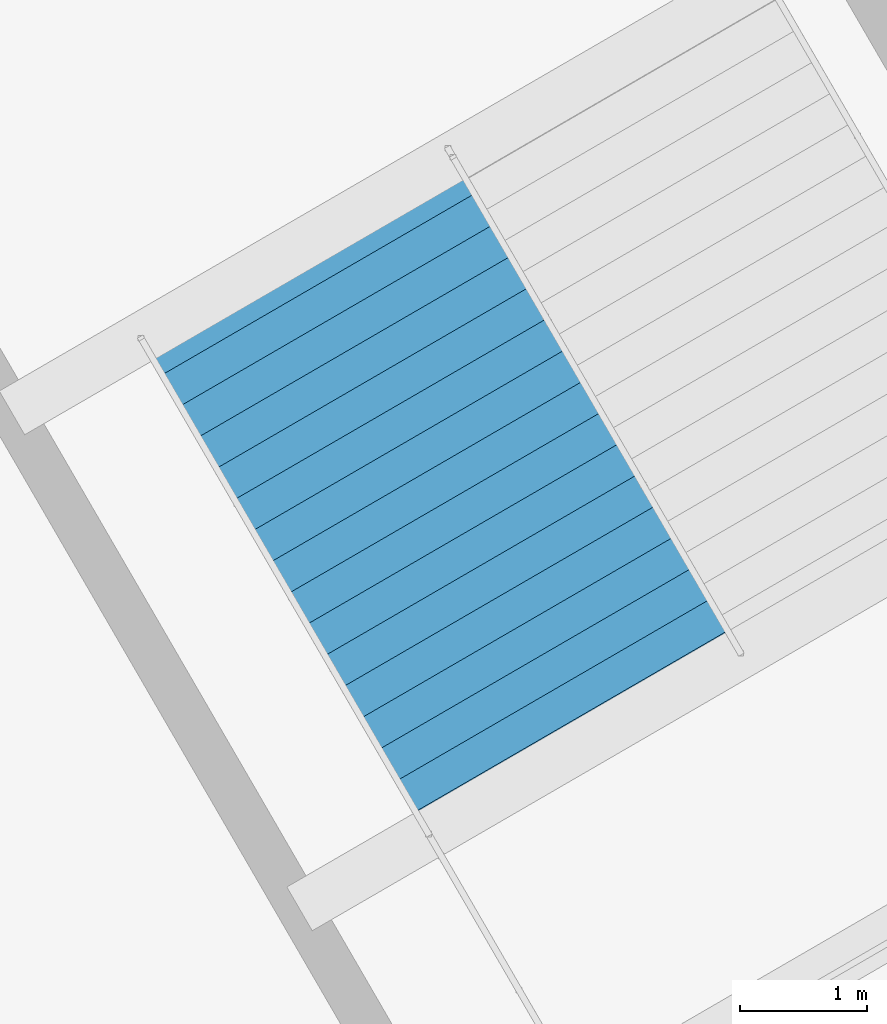
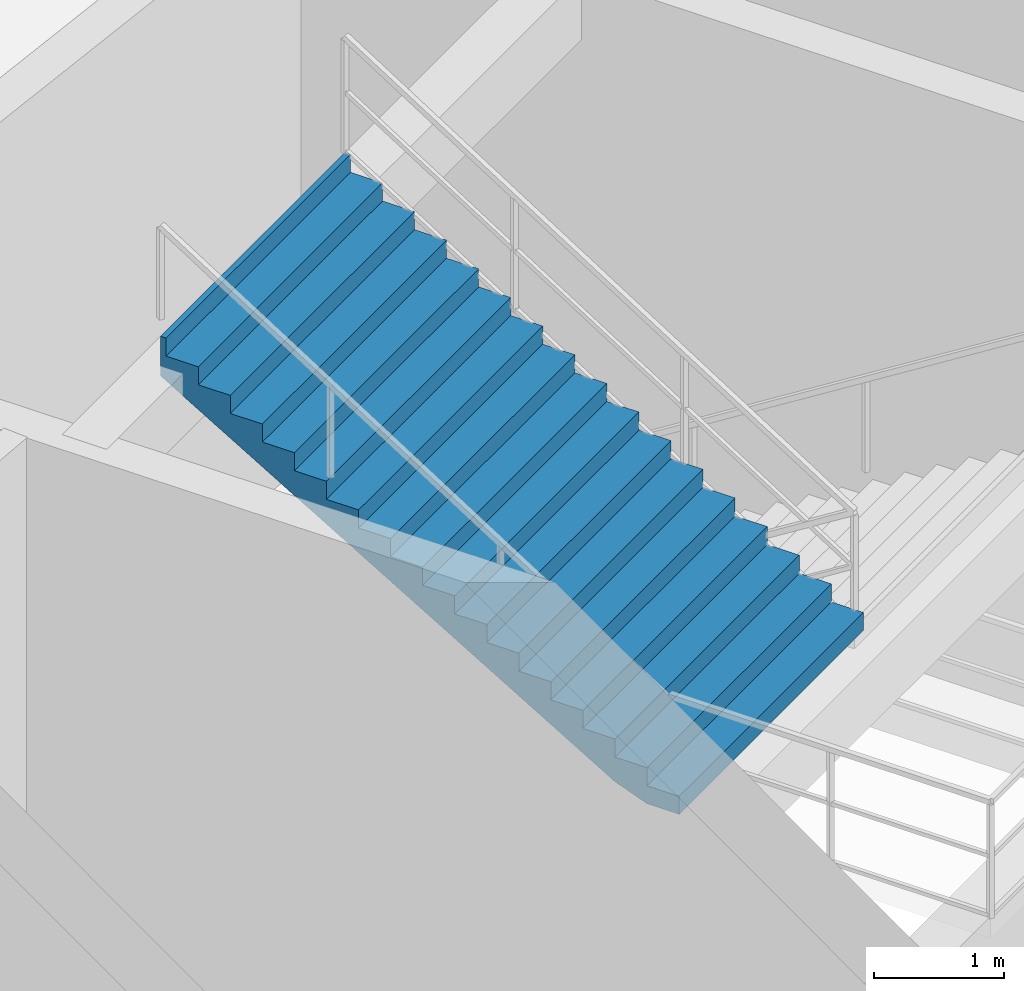
# One storey, part 21 of 48: 1 stair flight, 1 element without a shape of its own.
"""IFC4 building model written with IfcOpenShell, lengths in metres."""

from ifc_helpers import new_model, si_unit, direction, frame, origin, place, context, subcontext, project, spatial, polygons, material, type_object, element, aggregate, save


model = new_model("IFC4")

# Units and contexts
model_context = context("Model", 3, precision=1e-05, world=origin(), true_north=direction((0.0, 1.0)))
body_context = subcontext(model_context, "Body", "Model", "MODEL_VIEW")
ifc_project = project(units=[si_unit("LENGTHUNIT", "METRE"), si_unit("AREAUNIT", "SQUARE_METRE"), si_unit("VOLUMEUNIT", "CUBIC_METRE"), si_unit("PLANEANGLEUNIT", "RADIAN"), si_unit("MASSUNIT", "GRAM", prefix="KILO")], contexts=[model_context])

# Site, building, storey
site_placement = place(None, origin())
site = spatial("IfcSite", under=ifc_project, at=site_placement, CompositionType="ELEMENT")
building_placement = place(site_placement, origin())
building = spatial("IfcBuilding", under=site, at=building_placement, Name="Kazemori Nagisa Stadium", CompositionType="ELEMENT")
storey_placement = place(building_placement, origin())
storey = spatial("IfcBuildingStorey", under=building, at=storey_placement, Name="L00", CompositionType="ELEMENT", Elevation=0.0)

# Stair, stair flight
ifc_material = material(Name="Concrete C36/45 (Fc36)", Category="concrete")
stair_type = type_object("IfcStairType", Name="Stair_CORE_34", PredefinedType="TWO_STRAIGHT_RUN_STAIR", material=ifc_material)
stair_placement = place(storey_placement, origin())
stair = element("IfcStair", 1, at=stair_placement, inside=storey, type_object=stair_type, Name="Exit stair ST09 L00", PredefinedType="TWO_STRAIGHT_RUN_STAIR")
stair_flight_type = type_object("IfcStairFlightType", Name="Flight_CORE_17", PredefinedType="STRAIGHT", material=ifc_material)
stair_flight_placement = place(storey_placement, frame((43.47265625, 58.0634765625, 2.889892578125), z_axis=(0.0, 0.0, 1.0), x_axis=(-0.501612320914, 0.865092526559, 0.0)))
stair_flight = element("IfcStairFlight", 2, at=stair_flight_placement, type_object=stair_flight_type, Name="Exit stair ST09 L00 flight 2", NumberOfRisers=17, NumberOfTreads=16, PredefinedType="STRAIGHT", RiserHeight=0.17, TreadLength=0.285, context=body_context, shape_type="Tessellation", body=[
    polygons([(0.0, -1.425048828125, 0.0), (0.0, -1.425048828125, 0.169921875), (0.284912109375, -1.425048828125, 0.169921875), (0.284912109375, -1.425048828125, 0.340087890625), (0.570068359375, -1.425048828125, 0.340087890625), (0.570068359375, -1.425048828125, 0.510009765625), (0.85498046875, -1.425048828125, 0.510009765625), (0.85498046875, -1.425048828125, 0.679931640625), (1.139892578125, -1.425048828125, 0.679931640625), (1.139892578125, -1.425048828125, 0.85009765625), (1.425048828125, -1.425048828125, 0.85009765625), (1.425048828125, -1.425048828125, 1.02001953125), (1.7099609375, -1.425048828125, 1.02001953125), (1.7099609375, -1.425048828125, 1.18994140625), (1.9951171875, -1.425048828125, 1.18994140625), (1.9951171875, -1.425048828125, 1.360107421875), (2.280029296875, -1.425048828125, 1.360107421875), (2.280029296875, -1.425048828125, 1.530029296875), (2.56494140625, -1.425048828125, 1.530029296875), (2.56494140625, -1.425048828125, 1.699951171875), (2.85009765625, -1.425048828125, 1.699951171875), (2.85009765625, -1.425048828125, 1.8701171875), (3.135009765625, -1.425048828125, 1.8701171875), (3.135009765625, -1.425048828125, 2.0400390625), (3.419921875, -1.425048828125, 2.0400390625), (3.419921875, -1.425048828125, 2.2099609375), (3.705078125, -1.425048828125, 2.2099609375), (3.705078125, -1.425048828125, 2.3798828125), (3.989990234375, -1.425048828125, 2.3798828125), (3.989990234375, -1.425048828125, 2.550048828125), (4.27490234375, -1.425048828125, 2.550048828125), (4.27490234375, -1.425048828125, 2.719970703125), (4.56005859375, -1.425048828125, 2.719970703125), (4.56005859375, -1.425048828125, 2.889892578125), (4.610107421875, -1.425048828125, 2.889892578125), (4.610107421875, -1.425048828125, 2.51708984375), (4.56005859375, -1.425048828125, 2.487060546875), (4.27490234375, -1.425048828125, 2.317138671875), (3.989990234375, -1.425048828125, 2.147216796875), (3.705078125, -1.425048828125, 1.977294921875), (3.419921875, -1.425048828125, 1.80712890625), (3.135009765625, -1.425048828125, 1.63720703125), (2.85009765625, -1.425048828125, 1.46728515625), (2.56494140625, -1.425048828125, 1.297119140625), (2.280029296875, -1.425048828125, 1.127197265625), (1.9951171875, -1.425048828125, 0.957275390625), (1.7099609375, -1.425048828125, 0.787109375), (1.425048828125, -1.425048828125, 0.6171875), (1.139892578125, -1.425048828125, 0.447265625), (0.85498046875, -1.425048828125, 0.277099609375), (0.570068359375, -1.425048828125, 0.107177734375), (0.284912109375, -1.425048828125, 0.0), (0.0, -0.08544921875, 0.0), (0.0, -0.08544921875, 0.169921875), (0.284912109375, -0.08544921875, 0.169921875), (0.284912109375, -0.08544921875, 0.340087890625), (0.570068359375, -0.08544921875, 0.340087890625), (0.570068359375, -0.08544921875, 0.510009765625), (0.85498046875, -0.08544921875, 0.510009765625), (0.85498046875, -0.08544921875, 0.679931640625), (1.139892578125, -0.08544921875, 0.679931640625), (1.139892578125, -0.08544921875, 0.85009765625), (1.425048828125, -0.08544921875, 0.85009765625), (1.425048828125, -0.08544921875, 1.02001953125), (1.7099609375, -0.08544921875, 1.02001953125), (1.7099609375, -0.08544921875, 1.18994140625), (1.9951171875, -0.08544921875, 1.18994140625), (1.9951171875, -0.08544921875, 1.360107421875), (2.280029296875, -0.08544921875, 1.360107421875), (2.280029296875, -0.08544921875, 1.530029296875), (2.56494140625, -0.08544921875, 1.530029296875), (2.56494140625, -0.08544921875, 1.699951171875), (2.85009765625, -0.08544921875, 1.699951171875), (2.85009765625, -0.08544921875, 1.8701171875), (3.135009765625, -0.08544921875, 1.8701171875), (3.135009765625, -0.08544921875, 2.0400390625), (3.419921875, -0.08544921875, 2.0400390625), (3.419921875, -0.08544921875, 2.2099609375), (3.705078125, -0.08544921875, 2.2099609375), (3.705078125, -0.08544921875, 2.3798828125), (3.989990234375, -0.08544921875, 2.3798828125), (3.989990234375, -0.08544921875, 2.550048828125), (4.27490234375, -0.08544921875, 2.550048828125), (4.27490234375, -0.08544921875, 2.719970703125), (4.56005859375, -0.08544921875, 2.719970703125), (4.56005859375, -0.08544921875, 2.889892578125), (4.610107421875, -0.08544921875, 2.889892578125), (4.610107421875, -0.08544921875, 2.51708984375), (4.56005859375, -0.08544921875, 2.487060546875), (4.27490234375, -0.08544921875, 2.317138671875), (3.989990234375, -0.08544921875, 2.147216796875), (3.705078125, -0.08544921875, 1.977294921875), (3.419921875, -0.08544921875, 1.80712890625), (3.135009765625, -0.08544921875, 1.63720703125), (2.85009765625, -0.08544921875, 1.46728515625), (2.56494140625, -0.08544921875, 1.297119140625), (2.280029296875, -0.08544921875, 1.127197265625), (1.9951171875, -0.08544921875, 0.957275390625), (1.7099609375, -0.08544921875, 0.787109375), (1.425048828125, -0.08544921875, 0.6171875), (1.139892578125, -0.08544921875, 0.447265625), (0.85498046875, -0.08544921875, 0.277099609375), (0.570068359375, -0.08544921875, 0.107177734375), (0.284912109375, -0.08544921875, 0.0), (0.0, 0.0, 0.0), (0.0, 0.0, 0.169921875), (0.284912109375, 0.0, 0.169921875), (0.284912109375, 0.0, 0.340087890625), (0.570068359375, 0.0, 0.340087890625), (0.570068359375, 0.0, 0.510009765625), (0.85498046875, 0.0, 0.510009765625), (0.85498046875, 0.0, 0.679931640625), (1.139892578125, 0.0, 0.679931640625), (1.139892578125, 0.0, 0.85009765625), (1.425048828125, 0.0, 0.85009765625), (1.425048828125, 0.0, 1.02001953125), (1.7099609375, 0.0, 1.02001953125), (1.7099609375, 0.0, 1.18994140625), (1.9951171875, 0.0, 1.18994140625), (1.9951171875, 0.0, 1.360107421875), (2.280029296875, 0.0, 1.360107421875), (2.280029296875, 0.0, 1.530029296875), (2.56494140625, 0.0, 1.530029296875), (2.56494140625, 0.0, 1.699951171875), (2.85009765625, 0.0, 1.699951171875), (2.85009765625, 0.0, 1.8701171875), (3.135009765625, 0.0, 1.8701171875), (3.135009765625, 0.0, 2.0400390625), (3.419921875, 0.0, 2.0400390625), (3.419921875, 0.0, 2.2099609375), (3.705078125, 0.0, 2.2099609375), (3.705078125, 0.0, 2.3798828125), (3.989990234375, 0.0, 2.3798828125), (3.989990234375, 0.0, 2.550048828125), (4.27490234375, 0.0, 2.550048828125), (4.27490234375, 0.0, 2.719970703125), (4.56005859375, 0.0, 2.719970703125), (4.56005859375, 0.0, 2.889892578125), (4.610107421875, 0.0, 2.889892578125), (4.610107421875, 0.0, 2.51708984375), (4.56005859375, 0.0, 2.487060546875), (4.27490234375, 0.0, 2.317138671875), (3.989990234375, 0.0, 2.147216796875), (3.705078125, 0.0, 1.977294921875), (3.419921875, 0.0, 1.80712890625), (3.135009765625, 0.0, 1.63720703125), (2.85009765625, 0.0, 1.46728515625), (2.56494140625, 0.0, 1.297119140625), (2.280029296875, 0.0, 1.127197265625), (1.9951171875, 0.0, 0.957275390625), (1.7099609375, 0.0, 0.787109375), (1.425048828125, 0.0, 0.6171875), (1.139892578125, 0.0, 0.447265625), (0.85498046875, 0.0, 0.277099609375), (0.570068359375, 0.0, 0.107177734375), (0.284912109375, 0.0, 0.0), (0.0, 0.08544921875, 0.0), (0.0, 0.08544921875, 0.169921875), (0.284912109375, 0.08544921875, 0.169921875), (0.284912109375, 0.08544921875, 0.340087890625), (0.570068359375, 0.08544921875, 0.340087890625), (0.570068359375, 0.08544921875, 0.510009765625), (0.85498046875, 0.08544921875, 0.510009765625), (0.85498046875, 0.08544921875, 0.679931640625), (1.139892578125, 0.08544921875, 0.679931640625), (1.139892578125, 0.08544921875, 0.85009765625), (1.425048828125, 0.08544921875, 0.85009765625), (1.425048828125, 0.08544921875, 1.02001953125), (1.7099609375, 0.08544921875, 1.02001953125), (1.7099609375, 0.08544921875, 1.18994140625), (1.9951171875, 0.08544921875, 1.18994140625), (1.9951171875, 0.08544921875, 1.360107421875), (2.280029296875, 0.08544921875, 1.360107421875), (2.280029296875, 0.08544921875, 1.530029296875), (2.56494140625, 0.08544921875, 1.530029296875), (2.56494140625, 0.08544921875, 1.699951171875), (2.85009765625, 0.08544921875, 1.699951171875), (2.85009765625, 0.08544921875, 1.8701171875), (3.135009765625, 0.08544921875, 1.8701171875), (3.135009765625, 0.08544921875, 2.0400390625), (3.419921875, 0.08544921875, 2.0400390625), (3.419921875, 0.08544921875, 2.2099609375), (3.705078125, 0.08544921875, 2.2099609375), (3.705078125, 0.08544921875, 2.3798828125), (3.989990234375, 0.08544921875, 2.3798828125), (3.989990234375, 0.08544921875, 2.550048828125), (4.27490234375, 0.08544921875, 2.550048828125), (4.27490234375, 0.08544921875, 2.719970703125), (4.56005859375, 0.08544921875, 2.719970703125), (4.56005859375, 0.08544921875, 2.889892578125), (4.610107421875, 0.08544921875, 2.889892578125), (4.610107421875, 0.08544921875, 2.51708984375), (4.56005859375, 0.08544921875, 2.487060546875), (4.27490234375, 0.08544921875, 2.317138671875), (3.989990234375, 0.08544921875, 2.147216796875), (3.705078125, 0.08544921875, 1.977294921875), (3.419921875, 0.08544921875, 1.80712890625), (3.135009765625, 0.08544921875, 1.63720703125), (2.85009765625, 0.08544921875, 1.46728515625), (2.56494140625, 0.08544921875, 1.297119140625), (2.280029296875, 0.08544921875, 1.127197265625), (1.9951171875, 0.08544921875, 0.957275390625), (1.7099609375, 0.08544921875, 0.787109375), (1.425048828125, 0.08544921875, 0.6171875), (1.139892578125, 0.08544921875, 0.447265625), (0.85498046875, 0.08544921875, 0.277099609375), (0.570068359375, 0.08544921875, 0.107177734375), (0.284912109375, 0.08544921875, 0.0), (0.0, 1.425048828125, 0.0), (0.0, 1.425048828125, 0.169921875), (0.284912109375, 1.425048828125, 0.169921875), (0.284912109375, 1.425048828125, 0.340087890625), (0.570068359375, 1.425048828125, 0.340087890625), (0.570068359375, 1.425048828125, 0.510009765625), (0.85498046875, 1.425048828125, 0.510009765625), (0.85498046875, 1.425048828125, 0.679931640625), (1.139892578125, 1.425048828125, 0.679931640625), (1.139892578125, 1.425048828125, 0.85009765625), (1.425048828125, 1.425048828125, 0.85009765625), (1.425048828125, 1.425048828125, 1.02001953125), (1.7099609375, 1.425048828125, 1.02001953125), (1.7099609375, 1.425048828125, 1.18994140625), (1.9951171875, 1.425048828125, 1.18994140625), (1.9951171875, 1.425048828125, 1.360107421875), (2.280029296875, 1.425048828125, 1.360107421875), (2.280029296875, 1.425048828125, 1.530029296875), (2.56494140625, 1.425048828125, 1.530029296875), (2.56494140625, 1.425048828125, 1.699951171875), (2.85009765625, 1.425048828125, 1.699951171875), (2.85009765625, 1.425048828125, 1.8701171875), (3.135009765625, 1.425048828125, 1.8701171875), (3.135009765625, 1.425048828125, 2.0400390625), (3.419921875, 1.425048828125, 2.0400390625), (3.419921875, 1.425048828125, 2.2099609375), (3.705078125, 1.425048828125, 2.2099609375), (3.705078125, 1.425048828125, 2.3798828125), (3.989990234375, 1.425048828125, 2.3798828125), (3.989990234375, 1.425048828125, 2.550048828125), (4.27490234375, 1.425048828125, 2.550048828125), (4.27490234375, 1.425048828125, 2.719970703125), (4.56005859375, 1.425048828125, 2.719970703125), (4.56005859375, 1.425048828125, 2.889892578125), (4.610107421875, 1.425048828125, 2.889892578125), (4.610107421875, 1.425048828125, 2.51708984375), (4.56005859375, 1.425048828125, 2.487060546875), (4.27490234375, 1.425048828125, 2.317138671875), (3.989990234375, 1.425048828125, 2.147216796875), (3.705078125, 1.425048828125, 1.977294921875), (3.419921875, 1.425048828125, 1.80712890625), (3.135009765625, 1.425048828125, 1.63720703125), (2.85009765625, 1.425048828125, 1.46728515625), (2.56494140625, 1.425048828125, 1.297119140625), (2.280029296875, 1.425048828125, 1.127197265625), (1.9951171875, 1.425048828125, 0.957275390625), (1.7099609375, 1.425048828125, 0.787109375), (1.425048828125, 1.425048828125, 0.6171875), (1.139892578125, 1.425048828125, 0.447265625), (0.85498046875, 1.425048828125, 0.277099609375), (0.570068359375, 1.425048828125, 0.107177734375), (0.284912109375, 1.425048828125, 0.0)], [[[1, 2, 54]], [[1, 54, 53]], [[2, 3, 55]], [[2, 55, 54]], [[3, 4, 56]], [[3, 56, 55]], [[4, 5, 57]], [[4, 57, 56]], [[5, 6, 58]], [[5, 58, 57]], [[6, 7, 59]], [[6, 59, 58]], [[7, 8, 60]], [[7, 60, 59]], [[8, 9, 61]], [[8, 61, 60]], [[9, 10, 62]], [[9, 62, 61]], [[10, 11, 63]], [[10, 63, 62]], [[11, 12, 64]], [[11, 64, 63]], [[12, 13, 65]], [[12, 65, 64]], [[13, 14, 66]], [[13, 66, 65]], [[14, 15, 67]], [[14, 67, 66]], [[15, 16, 68]], [[15, 68, 67]], [[16, 17, 69]], [[16, 69, 68]], [[17, 18, 70]], [[17, 70, 69]], [[18, 19, 71]], [[18, 71, 70]], [[19, 20, 72]], [[19, 72, 71]], [[20, 21, 73]], [[20, 73, 72]], [[21, 22, 74]], [[21, 74, 73]], [[22, 23, 75]], [[22, 75, 74]], [[23, 24, 76]], [[23, 76, 75]], [[24, 25, 77]], [[24, 77, 76]], [[25, 26, 78]], [[25, 78, 77]], [[26, 27, 79]], [[26, 79, 78]], [[27, 28, 80]], [[27, 80, 79]], [[28, 29, 81]], [[28, 81, 80]], [[29, 30, 82]], [[29, 82, 81]], [[30, 31, 83]], [[30, 83, 82]], [[31, 32, 84]], [[31, 84, 83]], [[32, 33, 85]], [[32, 85, 84]], [[33, 34, 86]], [[33, 86, 85]], [[34, 35, 87]], [[34, 87, 86]], [[35, 36, 88]], [[35, 88, 87]], [[36, 37, 89]], [[36, 89, 88]], [[37, 38, 90]], [[37, 90, 89]], [[38, 39, 91]], [[38, 91, 90]], [[39, 40, 92]], [[39, 92, 91]], [[40, 41, 93]], [[40, 93, 92]], [[41, 42, 94]], [[41, 94, 93]], [[42, 43, 95]], [[42, 95, 94]], [[43, 44, 96]], [[43, 96, 95]], [[44, 45, 97]], [[44, 97, 96]], [[45, 46, 98]], [[45, 98, 97]], [[46, 47, 99]], [[46, 99, 98]], [[47, 48, 100]], [[47, 100, 99]], [[48, 49, 101]], [[48, 101, 100]], [[49, 50, 102]], [[49, 102, 101]], [[50, 51, 103]], [[50, 103, 102]], [[51, 52, 104]], [[51, 104, 103]], [[52, 1, 53]], [[52, 53, 104]], [[53, 54, 106]], [[53, 106, 105]], [[54, 55, 107]], [[54, 107, 106]], [[55, 56, 108]], [[55, 108, 107]], [[56, 57, 109]], [[56, 109, 108]], [[57, 58, 110]], [[57, 110, 109]], [[58, 59, 111]], [[58, 111, 110]], [[59, 60, 112]], [[59, 112, 111]], [[60, 61, 113]], [[60, 113, 112]], [[61, 62, 114]], [[61, 114, 113]], [[62, 63, 115]], [[62, 115, 114]], [[63, 64, 116]], [[63, 116, 115]], [[64, 65, 117]], [[64, 117, 116]], [[65, 66, 118]], [[65, 118, 117]], [[66, 67, 119]], [[66, 119, 118]], [[67, 68, 120]], [[67, 120, 119]], [[68, 69, 121]], [[68, 121, 120]], [[69, 70, 122]], [[69, 122, 121]], [[70, 71, 123]], [[70, 123, 122]], [[71, 72, 124]], [[71, 124, 123]], [[72, 73, 125]], [[72, 125, 124]], [[73, 74, 126]], [[73, 126, 125]], [[74, 75, 127]], [[74, 127, 126]], [[75, 76, 128]], [[75, 128, 127]], [[76, 77, 129]], [[76, 129, 128]], [[77, 78, 130]], [[77, 130, 129]], [[78, 79, 131]], [[78, 131, 130]], [[79, 80, 132]], [[79, 132, 131]], [[80, 81, 133]], [[80, 133, 132]], [[81, 82, 134]], [[81, 134, 133]], [[82, 83, 135]], [[82, 135, 134]], [[83, 84, 136]], [[83, 136, 135]], [[84, 85, 137]], [[84, 137, 136]], [[85, 86, 138]], [[85, 138, 137]], [[86, 87, 139]], [[86, 139, 138]], [[87, 88, 140]], [[87, 140, 139]], [[88, 89, 141]], [[88, 141, 140]], [[89, 90, 142]], [[89, 142, 141]], [[90, 91, 143]], [[90, 143, 142]], [[91, 92, 144]], [[91, 144, 143]], [[92, 93, 145]], [[92, 145, 144]], [[93, 94, 146]], [[93, 146, 145]], [[94, 95, 147]], [[94, 147, 146]], [[95, 96, 148]], [[95, 148, 147]], [[96, 97, 149]], [[96, 149, 148]], [[97, 98, 150]], [[97, 150, 149]], [[98, 99, 151]], [[98, 151, 150]], [[99, 100, 152]], [[99, 152, 151]], [[100, 101, 153]], [[100, 153, 152]], [[101, 102, 154]], [[101, 154, 153]], [[102, 103, 155]], [[102, 155, 154]], [[103, 104, 156]], [[103, 156, 155]], [[104, 53, 105]], [[104, 105, 156]], [[105, 106, 158]], [[105, 158, 157]], [[106, 107, 159]], [[106, 159, 158]], [[107, 108, 160]], [[107, 160, 159]], [[108, 109, 161]], [[108, 161, 160]], [[109, 110, 162]], [[109, 162, 161]], [[110, 111, 163]], [[110, 163, 162]], [[111, 112, 164]], [[111, 164, 163]], [[112, 113, 165]], [[112, 165, 164]], [[113, 114, 166]], [[113, 166, 165]], [[114, 115, 167]], [[114, 167, 166]], [[115, 116, 168]], [[115, 168, 167]], [[116, 117, 169]], [[116, 169, 168]], [[117, 118, 170]], [[117, 170, 169]], [[118, 119, 171]], [[118, 171, 170]], [[119, 120, 172]], [[119, 172, 171]], [[120, 121, 173]], [[120, 173, 172]], [[121, 122, 174]], [[121, 174, 173]], [[122, 123, 175]], [[122, 175, 174]], [[123, 124, 176]], [[123, 176, 175]], [[124, 125, 177]], [[124, 177, 176]], [[125, 126, 178]], [[125, 178, 177]], [[126, 127, 179]], [[126, 179, 178]], [[127, 128, 180]], [[127, 180, 179]], [[128, 129, 181]], [[128, 181, 180]], [[129, 130, 182]], [[129, 182, 181]], [[130, 131, 183]], [[130, 183, 182]], [[131, 132, 184]], [[131, 184, 183]], [[132, 133, 185]], [[132, 185, 184]], [[133, 134, 186]], [[133, 186, 185]], [[134, 135, 187]], [[134, 187, 186]], [[135, 136, 188]], [[135, 188, 187]], [[136, 137, 189]], [[136, 189, 188]], [[137, 138, 190]], [[137, 190, 189]], [[138, 139, 191]], [[138, 191, 190]], [[139, 140, 192]], [[139, 192, 191]], [[140, 141, 193]], [[140, 193, 192]], [[141, 142, 194]], [[141, 194, 193]], [[142, 143, 195]], [[142, 195, 194]], [[143, 144, 196]], [[143, 196, 195]], [[144, 145, 197]], [[144, 197, 196]], [[145, 146, 198]], [[145, 198, 197]], [[146, 147, 199]], [[146, 199, 198]], [[147, 148, 200]], [[147, 200, 199]], [[148, 149, 201]], [[148, 201, 200]], [[149, 150, 202]], [[149, 202, 201]], [[150, 151, 203]], [[150, 203, 202]], [[151, 152, 204]], [[151, 204, 203]], [[152, 153, 205]], [[152, 205, 204]], [[153, 154, 206]], [[153, 206, 205]], [[154, 155, 207]], [[154, 207, 206]], [[155, 156, 208]], [[155, 208, 207]], [[156, 105, 157]], [[156, 157, 208]], [[157, 158, 210]], [[157, 210, 209]], [[158, 159, 211]], [[158, 211, 210]], [[159, 160, 212]], [[159, 212, 211]], [[160, 161, 213]], [[160, 213, 212]], [[161, 162, 214]], [[161, 214, 213]], [[162, 163, 215]], [[162, 215, 214]], [[163, 164, 216]], [[163, 216, 215]], [[164, 165, 217]], [[164, 217, 216]], [[165, 166, 218]], [[165, 218, 217]], [[166, 167, 219]], [[166, 219, 218]], [[167, 168, 220]], [[167, 220, 219]], [[168, 169, 221]], [[168, 221, 220]], [[169, 170, 222]], [[169, 222, 221]], [[170, 171, 223]], [[170, 223, 222]], [[171, 172, 224]], [[171, 224, 223]], [[172, 173, 225]], [[172, 225, 224]], [[173, 174, 226]], [[173, 226, 225]], [[174, 175, 227]], [[174, 227, 226]], [[175, 176, 228]], [[175, 228, 227]], [[176, 177, 229]], [[176, 229, 228]], [[177, 178, 230]], [[177, 230, 229]], [[178, 179, 231]], [[178, 231, 230]], [[179, 180, 232]], [[179, 232, 231]], [[180, 181, 233]], [[180, 233, 232]], [[181, 182, 234]], [[181, 234, 233]], [[182, 183, 235]], [[182, 235, 234]], [[183, 184, 236]], [[183, 236, 235]], [[184, 185, 237]], [[184, 237, 236]], [[185, 186, 238]], [[185, 238, 237]], [[186, 187, 239]], [[186, 239, 238]], [[187, 188, 240]], [[187, 240, 239]], [[188, 189, 241]], [[188, 241, 240]], [[189, 190, 242]], [[189, 242, 241]], [[190, 191, 243]], [[190, 243, 242]], [[191, 192, 244]], [[191, 244, 243]], [[192, 193, 245]], [[192, 245, 244]], [[193, 194, 246]], [[193, 246, 245]], [[194, 195, 247]], [[194, 247, 246]], [[195, 196, 248]], [[195, 248, 247]], [[196, 197, 249]], [[196, 249, 248]], [[197, 198, 250]], [[197, 250, 249]], [[198, 199, 251]], [[198, 251, 250]], [[199, 200, 252]], [[199, 252, 251]], [[200, 201, 253]], [[200, 253, 252]], [[201, 202, 254]], [[201, 254, 253]], [[202, 203, 255]], [[202, 255, 254]], [[203, 204, 256]], [[203, 256, 255]], [[204, 205, 257]], [[204, 257, 256]], [[205, 206, 258]], [[205, 258, 257]], [[206, 207, 259]], [[206, 259, 258]], [[207, 208, 260]], [[207, 260, 259]], [[208, 157, 209]], [[208, 209, 260]], [[3, 2, 1]], [[209, 210, 211]], [[52, 3, 1]], [[209, 211, 260]], [[51, 3, 52]], [[260, 211, 259]], [[5, 3, 51]], [[259, 211, 213]], [[5, 4, 3]], [[211, 212, 213]], [[50, 5, 51]], [[259, 213, 258]], [[7, 5, 50]], [[258, 213, 215]], [[7, 6, 5]], [[213, 214, 215]], [[49, 7, 50]], [[258, 215, 257]], [[9, 7, 49]], [[257, 215, 217]], [[9, 8, 7]], [[215, 216, 217]], [[48, 9, 49]], [[257, 217, 256]], [[11, 9, 48]], [[256, 217, 219]], [[11, 10, 9]], [[217, 218, 219]], [[47, 11, 48]], [[256, 219, 255]], [[13, 11, 47]], [[255, 219, 221]], [[13, 12, 11]], [[219, 220, 221]], [[46, 13, 47]], [[255, 221, 254]], [[15, 13, 46]], [[254, 221, 223]], [[15, 14, 13]], [[221, 222, 223]], [[45, 15, 46]], [[254, 223, 253]], [[17, 15, 45]], [[253, 223, 225]], [[17, 16, 15]], [[223, 224, 225]], [[44, 17, 45]], [[253, 225, 252]], [[19, 17, 44]], [[252, 225, 227]], [[19, 18, 17]], [[225, 226, 227]], [[43, 19, 44]], [[252, 227, 251]], [[21, 19, 43]], [[251, 227, 229]], [[21, 20, 19]], [[227, 228, 229]], [[42, 21, 43]], [[251, 229, 250]], [[23, 21, 42]], [[250, 229, 231]], [[23, 22, 21]], [[229, 230, 231]], [[41, 23, 42]], [[250, 231, 249]], [[25, 23, 41]], [[249, 231, 233]], [[25, 24, 23]], [[231, 232, 233]], [[40, 25, 41]], [[249, 233, 248]], [[27, 25, 40]], [[248, 233, 235]], [[27, 26, 25]], [[233, 234, 235]], [[39, 27, 40]], [[248, 235, 247]], [[29, 27, 39]], [[247, 235, 237]], [[29, 28, 27]], [[235, 236, 237]], [[38, 29, 39]], [[247, 237, 246]], [[31, 29, 38]], [[246, 237, 239]], [[31, 30, 29]], [[237, 238, 239]], [[37, 31, 38]], [[246, 239, 245]], [[33, 31, 37]], [[245, 239, 241]], [[33, 32, 31]], [[239, 240, 241]], [[36, 33, 37]], [[245, 241, 244]], [[35, 33, 36]], [[244, 241, 243]], [[35, 34, 33]], [[241, 242, 243]]], closed=True),
])
aggregate(stair, [stair_flight])

save(model, "model.ifc")
